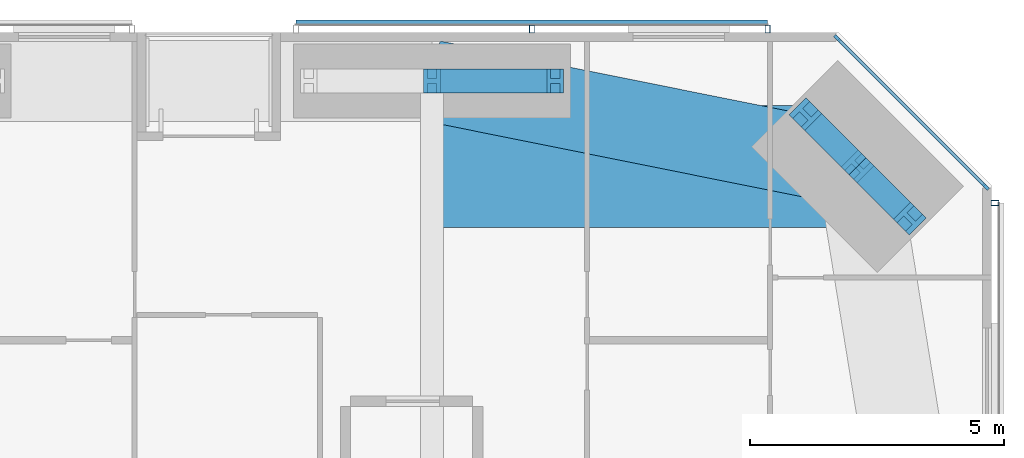
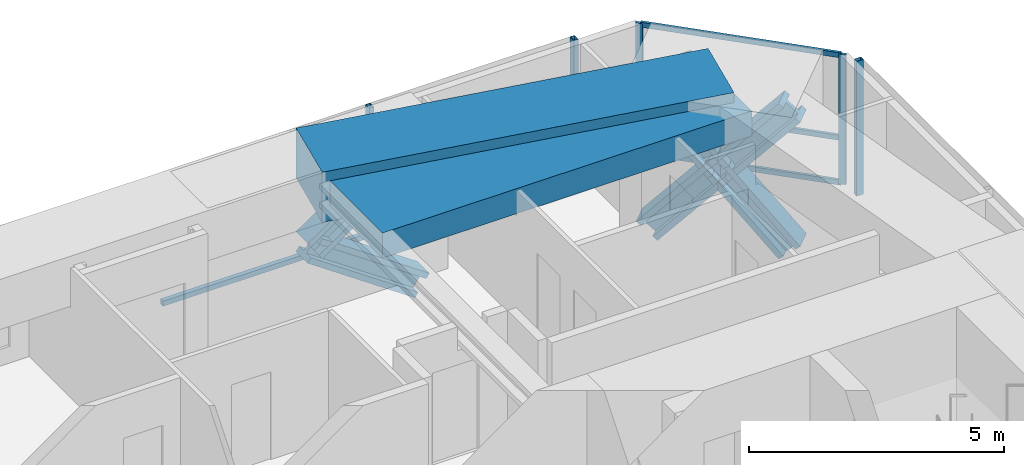
# One storey, part 14 of 23: 15 members, 2 beams, 3 elements without a shape of their own.
"""IFC4 building model written with IfcOpenShell, lengths in metres."""

from ifc_helpers import new_model, si_unit, direction, frame, origin, origin_2d, place, context, subcontext, project, spatial, rectangle, hollow_rectangle, i_section, extrude, material, material_profile, profile_set, type_object, element, aggregate, save


model = new_model("IFC4")

# Units and contexts
model_context = context("Model", 3, precision=1e-05, world=origin(), true_north=direction((0.0, 1.0)))
body_context = subcontext(model_context, "Body", "Model", "MODEL_VIEW")
ifc_project = project(units=[si_unit("LENGTHUNIT", "METRE"), si_unit("AREAUNIT", "SQUARE_METRE"), si_unit("VOLUMEUNIT", "CUBIC_METRE"), si_unit("PLANEANGLEUNIT", "RADIAN"), si_unit("MASSUNIT", "GRAM", prefix="KILO")], contexts=[model_context])

# Site, building, storey
site_placement = place(None, origin())
site = spatial("IfcSite", under=ifc_project, at=site_placement, CompositionType="ELEMENT")
building_placement = place(site_placement, origin())
building = spatial("IfcBuilding", under=site, at=building_placement, Name="Jalousie Tower", CompositionType="ELEMENT")
storey_placement = place(building_placement, frame((0.0, 0.0, 34.39990234375)))
storey = spatial("IfcBuildingStorey", under=building, at=storey_placement, Name="L08", CompositionType="ELEMENT", Elevation=34.39990234375)

# Curtain wall, members
ifc_material_1 = material(Name="Aluminium curtain wall", Category="aluminium")
curtain_wall_type_1 = type_object("IfcCurtainWallType", Name="CORNER WINDOW WALL", PredefinedType="USERDEFINED", material=ifc_material_1)
curtain_wall_1_placement = place(storey_placement, origin())
curtain_wall_1 = element("IfcCurtainWall", 1, at=curtain_wall_1_placement, inside=storey, type_object=curtain_wall_type_1, Name="Corner Window Wall L08 4", ObjectType="CORNER WINDOW WALL", PredefinedType="USERDEFINED")
ifc_material_2 = material(Name="Aluminium mullion", Category="aluminium")
ifc_material_profile_1 = material_profile(ifc_material_2, rectangle(XDim=0.06005859375, YDim=0.14990234375, at=origin_2d()), Name="MULLION 60x150")
ifc_profile_set_1 = profile_set([ifc_material_profile_1], Name="Aluminium mullion")
member_type_1 = type_object("IfcMemberType", Name="CORNER WINDOW WALL MULLION", PredefinedType="MULLION", material=ifc_profile_set_1)
member_1_placement = place(storey_placement, frame((45.891357421875, 34.969970703125, 0.0), z_axis=(0.0, 0.0, 1.0), x_axis=(-0.707106781187, -0.707106781187, 0.0)))
member_1 = element("IfcMember", 2, at=member_1_placement, type_object=member_type_1, Name="CW-C mullion 1", PredefinedType="MULLION", context=body_context, shape_type="SweptSolid", body=[
    extrude(rectangle(XDim=0.06005859375, YDim=0.14990234375, at=origin_2d()), origin(), (0.0, 0.0, 1.0), 3.110107421875),
])
member_2_placement = place(storey_placement, frame((42.969970703125, 37.891357421875, 0.0), z_axis=(0.0, 0.0, 1.0), x_axis=(-0.707106781187, -0.707106781187, 0.0)))
member_2 = element("IfcMember", 3, at=member_2_placement, type_object=member_type_1, Name="CW-C mullion 2", PredefinedType="MULLION", context=body_context, shape_type="SweptSolid", body=[
    extrude(rectangle(XDim=0.06005859375, YDim=0.14990234375, at=origin_2d()), origin(), (0.0, 0.0, 1.0), 3.110107421875),
])
ifc_material_3 = material(Name="Aluminium transom", Category="aluminium")
ifc_material_profile_2 = material_profile(ifc_material_3, rectangle(XDim=0.06005859375, YDim=0.1201171875, at=origin_2d()), Name="TRANSOM 60x120")
ifc_profile_set_2 = profile_set([ifc_material_profile_2], Name="Aluminium transom")
member_type_2 = type_object("IfcMemberType", Name="CORNER WINDOW WALL TRANSOM", PredefinedType="USERDEFINED", material=ifc_profile_set_2)
member_3_placement = place(storey_placement, frame((45.8701171875, 34.9912109375, 0.030029296875), z_axis=(-0.707106781187, 0.707106781187, 0.0), x_axis=(-0.707106781187, -0.707106781187, 0.0)))
member_3 = element("IfcMember", 4, at=member_3_placement, type_object=member_type_2, Name="CW-C transom 1.1", ObjectType="TRANSOM", PredefinedType="USERDEFINED", context=body_context, shape_type="SweptSolid", body=[
    extrude(rectangle(XDim=0.06005859375, YDim=0.1201171875, at=origin_2d()), origin(), (0.0, 0.0, 1.0), 4.0712890625),
])
member_4_placement = place(storey_placement, frame((45.8701171875, 34.9912109375, 1.10009765625), z_axis=(-0.707106781187, 0.707106781187, 0.0), x_axis=(-0.707106781187, -0.707106781187, 0.0)))
member_4 = element("IfcMember", 5, at=member_4_placement, type_object=member_type_2, Name="CW-C transom 1.2", ObjectType="TRANSOM", PredefinedType="USERDEFINED", context=body_context, shape_type="SweptSolid", body=[
    extrude(rectangle(XDim=0.06005859375, YDim=0.1201171875, at=origin_2d()), origin(), (0.0, 0.0, 1.0), 4.0712890625),
])
member_5_placement = place(storey_placement, frame((45.8701171875, 34.9912109375, 3.080078125), z_axis=(-0.707106781187, 0.707106781187, 0.0), x_axis=(-0.707106781187, -0.707106781187, 0.0)))
member_5 = element("IfcMember", 6, at=member_5_placement, type_object=member_type_2, Name="CW-C transom 1.3", ObjectType="TRANSOM", PredefinedType="USERDEFINED", context=body_context, shape_type="SweptSolid", body=[
    extrude(rectangle(XDim=0.06005859375, YDim=0.1201171875, at=origin_2d()), origin(), (0.0, 0.0, 1.0), 4.0712890625),
])
aggregate(curtain_wall_1, [member_1, member_2, member_3, member_4, member_5])

# Members
ifc_material_4 = material(Name="Steel ASTM A992 Grade 50", Category="steel")
ifc_material_profile_3 = material_profile(ifc_material_4, i_section(OverallWidth=0.472412109375, OverallDepth=0.5791015625, WebThickness=0.094970703125, FlangeThickness=0.1298828125, at=origin_2d()), Name="W14X808")
ifc_profile_set_3 = profile_set([ifc_material_profile_3], Name="Steel ASTM A992 Grade 50")
member_type_3 = type_object("IfcMemberType", Name="PERIMETER BRACE W14X808", PredefinedType="BRACE", material=ifc_profile_set_3)
for number, where, z_axis, x_axis, name in (
    (7, (44.393798828125, 34.34326171875, -0.599853515625), (-0.462729793854, 0.462839993852, 0.756082189957), (-0.707190965575, -0.707022586774, 0.0), "Perimeter brace 08 L08 part 1"),
    (8, (43.36865234375, 35.36865234375, 1.0751953125), (-0.462878559809, 0.462768350628, 0.756034981021), (-0.707022586774, -0.707190965575, 0.0), "Perimeter brace 08 L08 part 2"),
    (9, (42.34326171875, 36.393798828125, -0.599853515625), (0.462839993852, -0.462729793854, 0.756082189957), (0.707022586774, 0.707190965575, 0.0), "Perimeter brace 08 L08 part 3"),
    (10, (43.36865234375, 35.36865234375, 1.0751953125), (0.462768350628, -0.462878559809, 0.756034981021), (0.707190965575, 0.707022586774, 0.0), "Perimeter brace 08 L08 part 4"),
):
    element("IfcMember", number, at=place(storey_placement, frame(where, z_axis=z_axis, x_axis=x_axis)), inside=storey, type_object=member_type_3, Name=name, PredefinedType="BRACE", context=body_context, shape_type="SweptSolid", body=[
        extrude(i_section(OverallWidth=0.472412109375, OverallDepth=0.5791015625, WebThickness=0.094970703125, FlangeThickness=0.1298828125, at=origin_2d()), origin(), (0.0, 0.0, 1.0), 2.21533203125),
    ])
for number, where, z_axis, x_axis, name in (
    (11, (35.0, 37.050048828125, 1.0751953125), (0.82283879777, 0.0, 0.568274856811), (0.0, 1.0, 0.0), "Perimeter brace 09 L08 part 2"),
    (12, (37.425048828125, 37.050048828125, -0.599853515625), (-0.822800062329, 0.0, 0.568330940062), (0.0, -1.0, 0.0), "Perimeter brace 09 L08 part 3"),
):
    element("IfcMember", number, at=place(storey_placement, frame(where, z_axis=z_axis, x_axis=x_axis)), inside=storey, type_object=member_type_3, Name=name, PredefinedType="BRACE", context=body_context, shape_type="SweptSolid", body=[
        extrude(i_section(OverallWidth=0.472412109375, OverallDepth=0.5791015625, WebThickness=0.094970703125, FlangeThickness=0.1298828125, at=origin_2d()), origin(), (0.0, 0.0, 1.0), 2.947265625),
    ])

# Beams
ifc_material_5 = material(Name="Concrete f'c 40 MPa", Category="concrete")
ifc_material_profile_4 = material_profile(ifc_material_5, rectangle(XDim=1.60009765625, YDim=1.199951171875, at=origin_2d()), Name="RC 1600x1200")
ifc_profile_set_4 = profile_set([ifc_material_profile_4], Name="Concrete f'c 40 MPa")
beam_type_1 = type_object("IfcBeamType", Name="RC BEAM 1600x1200", PredefinedType="BEAM", material=ifc_profile_set_4)
beam_1_placement = place(storey_placement, frame((43.36865234375, 35.36865234375, 2.75), z_axis=(-0.980407585444, 0.196979609107, 0.0), x_axis=(-0.196979609107, -0.980407585444, 0.0)))
element("IfcBeam", 13, at=beam_1_placement, inside=storey, type_object=beam_type_1, Name="Edge band beam 08-09 under L09", PredefinedType="BEAM", context=body_context, shape_type="SweptSolid", body=[
    extrude(rectangle(XDim=1.60009765625, YDim=1.199951171875, at=origin_2d()), origin(), (0.0, 0.0, 1.0), 8.535888671875),
])
ifc_material_6 = material(Name="Concrete f'c 40 MPa", Category="concrete")
ifc_material_profile_5 = material_profile(ifc_material_6, rectangle(XDim=2.39990234375, YDim=0.60009765625, at=origin_2d()), Name="RC 2400x600")
ifc_profile_set_5 = profile_set([ifc_material_profile_5], Name="Concrete f'c 40 MPa")
beam_type_2 = type_object("IfcBeamType", Name="RC BEAM 2400x600", PredefinedType="BEAM", material=ifc_profile_set_5)
beam_2_placement = place(storey_placement, frame((43.36865234375, 35.36865234375, 2.81005859375), z_axis=(-1.0, 0.0, 0.0), x_axis=(0.0, -1.0, 0.0)))
element("IfcBeam", 14, at=beam_2_placement, inside=storey, type_object=beam_type_2, Name="Floor band beam under L09", PredefinedType="BEAM", context=body_context, shape_type="SweptSolid", body=[
    extrude(rectangle(XDim=2.39990234375, YDim=0.60009765625, at=origin_2d()), origin(), (0.0, 0.0, 1.0), 8.36865234375),
])

# Curtain wall, member
ifc_material_7 = material(Name="Perforated aluminium sheet", Category="aluminium")
curtain_wall_type_2 = type_object("IfcCurtainWallType", Name="SOLAR SCREEN SS-1", PredefinedType="USERDEFINED", material=ifc_material_7)
curtain_wall_2_placement = place(storey_placement, origin())
curtain_wall_2 = element("IfcCurtainWall", 15, at=curtain_wall_2_placement, inside=storey, type_object=curtain_wall_type_2, Name="Solar screen L08", ObjectType="SOLAR SCREEN SS-1", PredefinedType="USERDEFINED")
ifc_material_8 = material(Name="Steel ASTM A500 Grade C", Category="steel")
ifc_material_profile_6 = material_profile(ifc_material_8, hollow_rectangle(XDim=0.1015625, YDim=0.15234375, WallThickness=0.00634765625, at=origin_2d()), Name="HSS6X4X1/4")
ifc_profile_set_6 = profile_set([ifc_material_profile_6], Name="Steel ASTM A500 Grade C")
member_type_4 = type_object("IfcMemberType", Name="SOLAR SCREEN SS-1 MULLION", PredefinedType="MULLION", material=ifc_profile_set_6)
member_6_placement = place(storey_placement, frame((46.0712890625, 34.648681640625, -0.119873046875), z_axis=(0.0, 0.0, 1.0), x_axis=(0.0, 1.0, 0.0)))
member_6 = element("IfcMember", 16, at=member_6_placement, type_object=member_type_4, Name="SS1 post 4", PredefinedType="MULLION", context=body_context, shape_type="SweptSolid", body=[
    extrude(hollow_rectangle(XDim=0.1015625, YDim=0.15234375, WallThickness=0.00634765625, at=origin_2d()), origin(), (0.0, 0.0, 1.0), 3.22998046875),
])
aggregate(curtain_wall_2, [member_6])

# Curtain wall, members
curtain_wall_3_placement = place(storey_placement, origin())
curtain_wall_3 = element("IfcCurtainWall", 17, at=curtain_wall_3_placement, inside=storey, type_object=curtain_wall_type_2, Name="Solar screen L08", ObjectType="SOLAR SCREEN SS-1", PredefinedType="USERDEFINED")
member_7_placement = place(storey_placement, frame((41.60009765625, 38.0712890625, -0.119873046875), z_axis=(0.0, 0.0, 1.0), x_axis=(-1.0, 0.0, 0.0)))
member_7 = element("IfcMember", 18, at=member_7_placement, type_object=member_type_4, Name="SS1 post 1", PredefinedType="MULLION", context=body_context, shape_type="SweptSolid", body=[
    extrude(hollow_rectangle(XDim=0.1015625, YDim=0.15234375, WallThickness=0.00634765625, at=origin_2d()), origin(), (0.0, 0.0, 1.0), 3.22998046875),
])
member_8_placement = place(storey_placement, frame((36.96240234375, 38.0712890625, -0.119873046875), z_axis=(0.0, 0.0, 1.0), x_axis=(-1.0, 0.0, 0.0)))
member_8 = element("IfcMember", 19, at=member_8_placement, type_object=member_type_4, Name="SS1 post 2", PredefinedType="MULLION", context=body_context, shape_type="SweptSolid", body=[
    extrude(hollow_rectangle(XDim=0.1015625, YDim=0.15234375, WallThickness=0.00634765625, at=origin_2d()), origin(), (0.0, 0.0, 1.0), 3.22998046875),
])
ifc_material_9 = material(Name="Extruded aluminium screen rail", Category="aluminium")
ifc_material_profile_7 = material_profile(ifc_material_9, rectangle(XDim=0.1015625, YDim=0.1201171875, at=origin_2d()), Name="RAIL 102x120")
ifc_profile_set_7 = profile_set([ifc_material_profile_7], Name="Extruded aluminium screen rail")
member_type_5 = type_object("IfcMemberType", Name="SOLAR SCREEN SS-1 TRANSOM", PredefinedType="USERDEFINED", material=ifc_profile_set_7)
member_9_placement = place(storey_placement, frame((41.60009765625, 38.1982421875, -0.059814453125), z_axis=(-1.0, 0.0, 0.0), x_axis=(0.0, -1.0, 0.0)))
member_9 = element("IfcMember", 20, at=member_9_placement, type_object=member_type_5, Name="SS1 rail", ObjectType="TRANSOM", PredefinedType="USERDEFINED", context=body_context, shape_type="SweptSolid", body=[
    extrude(rectangle(XDim=0.1015625, YDim=0.1201171875, at=origin_2d()), origin(), (0.0, 0.0, 1.0), 9.275146484375),
])
aggregate(curtain_wall_3, [member_7, member_8, member_9])

save(model, "model.ifc")
